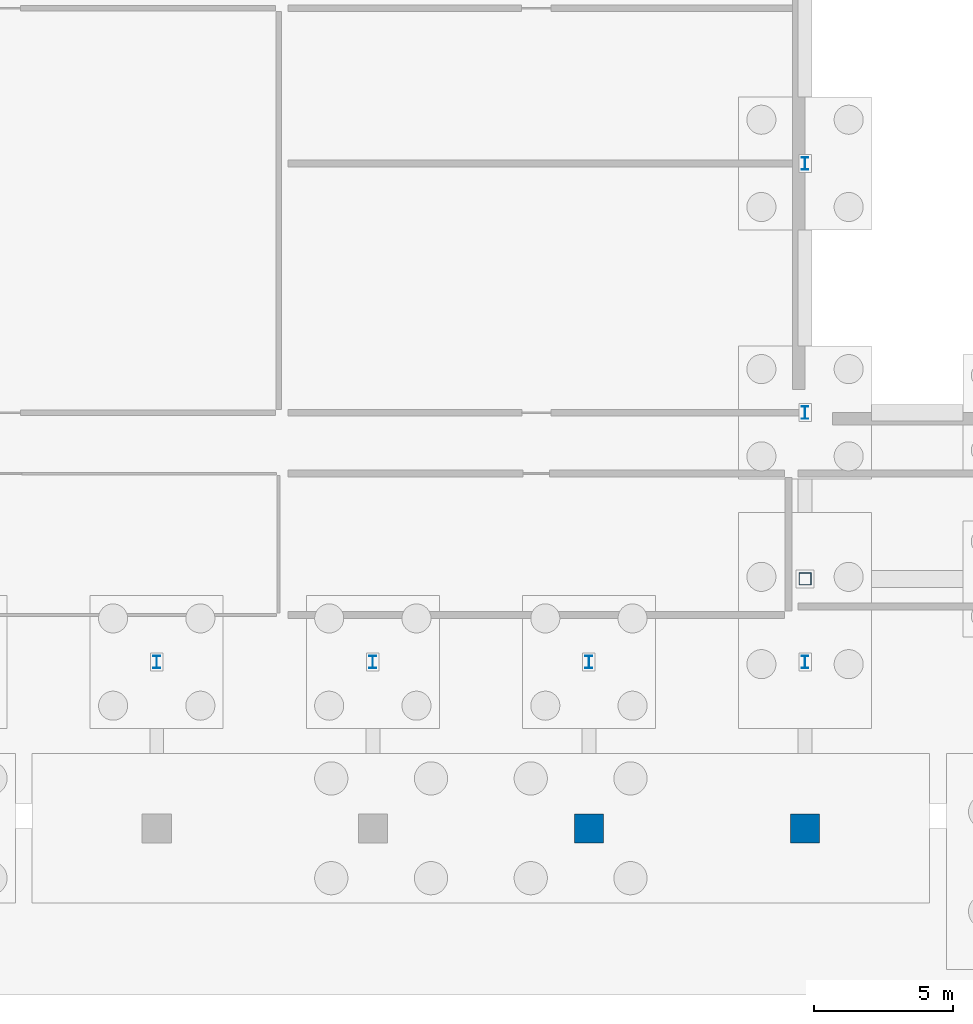
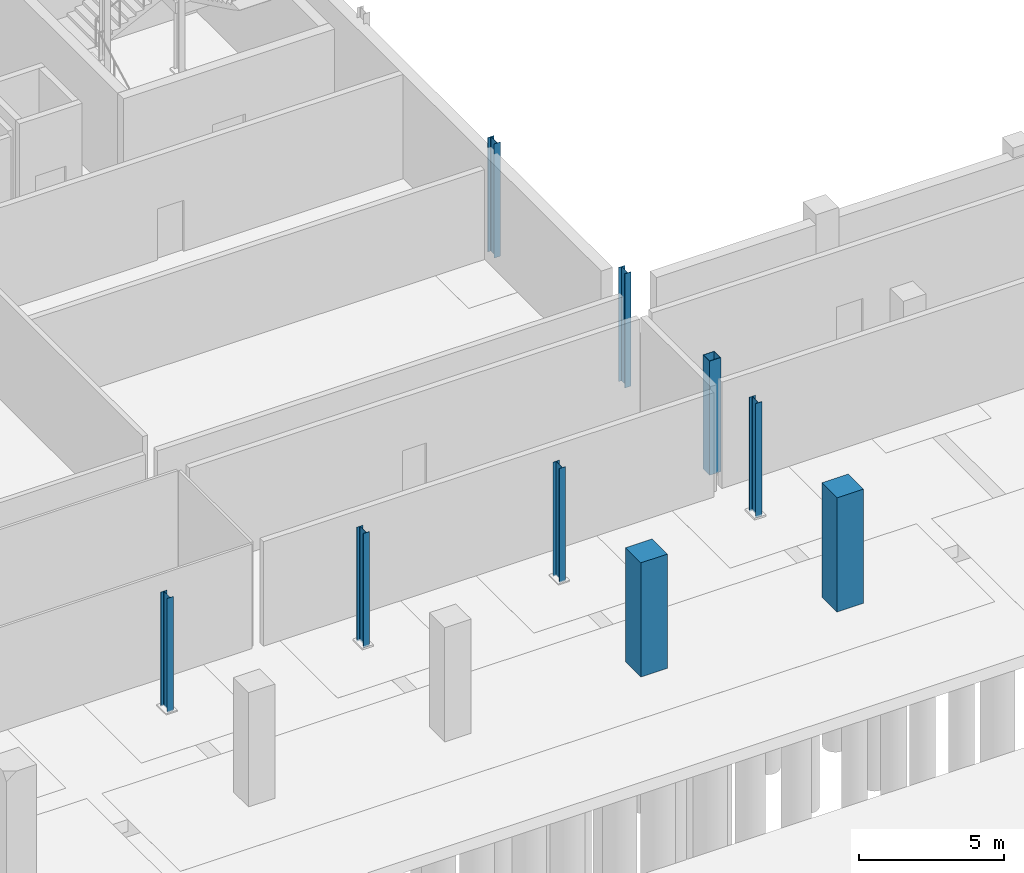
# One storey, part 13 of 32: 9 columns.
"""IFC4 building model written with IfcOpenShell, lengths in metres."""

from ifc_helpers import new_model, si_unit, derived_unit, direction, frame, origin, origin_2d, place, context, subcontext, project, spatial, rectangle, hollow_rectangle, i_section, extrude, material, material_profile, profile_set, type_object, element, save


model = new_model("IFC4")

# Units and contexts
model_context = context("Model", 3, precision=1e-05, world=origin(), true_north=direction((0.0, 1.0)))
body_context = subcontext(model_context, "Body", "Model", "MODEL_VIEW")
ifc_project = project(units=[si_unit("LENGTHUNIT", "METRE"), si_unit("AREAUNIT", "SQUARE_METRE"), si_unit("VOLUMEUNIT", "CUBIC_METRE"), si_unit("PLANEANGLEUNIT", "RADIAN"), si_unit("MASSUNIT", "GRAM", prefix="KILO"), derived_unit("THERMALTRANSMITTANCEUNIT", [(si_unit("POWERUNIT", "WATT"), 1), (si_unit("LENGTHUNIT", "METRE"), -2), (si_unit("THERMODYNAMICTEMPERATUREUNIT", "KELVIN"), -1)])], contexts=[model_context])

# Site, building, storey
site_placement = place(None, origin())
site = spatial("IfcSite", under=ifc_project, at=site_placement, CompositionType="ELEMENT")
building_placement = place(site_placement, origin())
building = spatial("IfcBuilding", under=site, at=building_placement, Name="Nallur Shell Playhouse", CompositionType="ELEMENT")
storey_placement = place(building_placement, frame((0.0, 0.0, -4.800048828125)))
storey = spatial("IfcBuildingStorey", under=building, at=storey_placement, Name="B1", CompositionType="ELEMENT", Elevation=-4.800048828125)

# Columns
ifc_material_1 = material(Name="Concrete M45", Category="concrete")
ifc_material_profile_1 = material_profile(ifc_material_1, rectangle(XDim=1.050048828125, YDim=1.050048828125, at=origin_2d()), Name="RC 1050x1050")
ifc_profile_set_1 = profile_set([ifc_material_profile_1], Name="Concrete M45")
column_type_1 = type_object("IfcColumnType", Name="CL-RC-1050", PredefinedType="COLUMN", material=ifc_profile_set_1)
for number, where, z_axis, x_axis, name in (
    (1, (95.199951171875, 41.0, 0.0), (0.0, 0.0, 1.0), (1.0, 0.0, 0.0), "Column MC4N (B1)"),
    (2, (103.0, 41.0, 0.0), (0.0, 0.0, 1.0), (1.0, 0.0, 0.0), "Column MC5N (B1)"),
):
    element("IfcColumn", number, at=place(storey_placement, frame(where, z_axis=z_axis, x_axis=x_axis)), inside=storey, type_object=column_type_1, Name=name, PredefinedType="COLUMN", context=body_context, shape_type="SweptSolid", body=[
        extrude(rectangle(XDim=1.050048828125, YDim=1.050048828125, at=origin_2d()), origin(), (0.0, 0.0, 1.0), 4.800048828125),
    ])
ifc_material_2 = material(Name="Steel E350", Category="steel")
ifc_material_profile_2 = material_profile(ifc_material_2, hollow_rectangle(XDim=0.449951171875, YDim=0.449951171875, WallThickness=0.02001953125, at=origin_2d()), Name="BOX 450x450x20")
ifc_profile_set_2 = profile_set([ifc_material_profile_2], Name="Steel E350")
column_type_2 = type_object("IfcColumnType", Name="CL-ST-BOX450", PredefinedType="COLUMN", material=ifc_profile_set_2)
column_placement = place(storey_placement, frame((103.0, 50.0, 0.0), z_axis=(0.0, 0.0, 1.0), x_axis=(1.0, 0.0, 0.0)))
element("IfcColumn", 3, at=column_placement, inside=storey, type_object=column_type_2, Name="Column 13-F (B1)", PredefinedType="COLUMN", context=body_context, shape_type="SweptSolid", body=[
    extrude(hollow_rectangle(XDim=0.449951171875, YDim=0.449951171875, WallThickness=0.02001953125, at=origin_2d()), origin(), (0.0, 0.0, 1.0), 4.800048828125),
])
ifc_material_profile_3 = material_profile(ifc_material_2, i_section(OverallWidth=0.25, OverallDepth=0.449951171875, WebThickness=0.01123046875, FlangeThickness=0.013671875, FilletRadius=0.014892578125, at=origin_2d()), Name="ISHB 450")
ifc_profile_set_3 = profile_set([ifc_material_profile_3], Name="Steel E350")
column_type_3 = type_object("IfcColumnType", Name="CL-ST-ISHB450", PredefinedType="COLUMN", material=ifc_profile_set_3)
for number, where, z_axis, x_axis, name in (
    (4, (103.0, 56.0, 0.0), (0.0, 0.0, 1.0), (1.0, 0.0, 0.0), "Column 13-G (B1)"),
    (5, (103.0, 65.0, 0.0), (0.0, 0.0, 1.0), (1.0, 0.0, 0.0), "Column 13-H (B1)"),
    (6, (79.60009765625, 47.0, 0.0), (0.0, 0.0, 1.0), (1.0, 0.0, 0.0), "Column PROSC-3 (B1)"),
    (7, (87.39990234375, 47.0, 0.0), (0.0, 0.0, 1.0), (1.0, 0.0, 0.0), "Column PROSC-4 (B1)"),
    (8, (95.199951171875, 47.0, 0.0), (0.0, 0.0, 1.0), (1.0, 0.0, 0.0), "Column PROSC-5 (B1)"),
    (9, (103.0, 47.0, 0.0), (0.0, 0.0, 1.0), (1.0, 0.0, 0.0), "Column PROSC-6 (B1)"),
):
    element("IfcColumn", number, at=place(storey_placement, frame(where, z_axis=z_axis, x_axis=x_axis)), inside=storey, type_object=column_type_3, Name=name, PredefinedType="COLUMN", context=body_context, shape_type="SweptSolid", body=[
        extrude(i_section(OverallWidth=0.25, OverallDepth=0.449951171875, WebThickness=0.01123046875, FlangeThickness=0.013671875, FilletRadius=0.014892578125, at=origin_2d()), origin(), (0.0, 0.0, 1.0), 4.800048828125),
    ])

save(model, "model.ifc")
